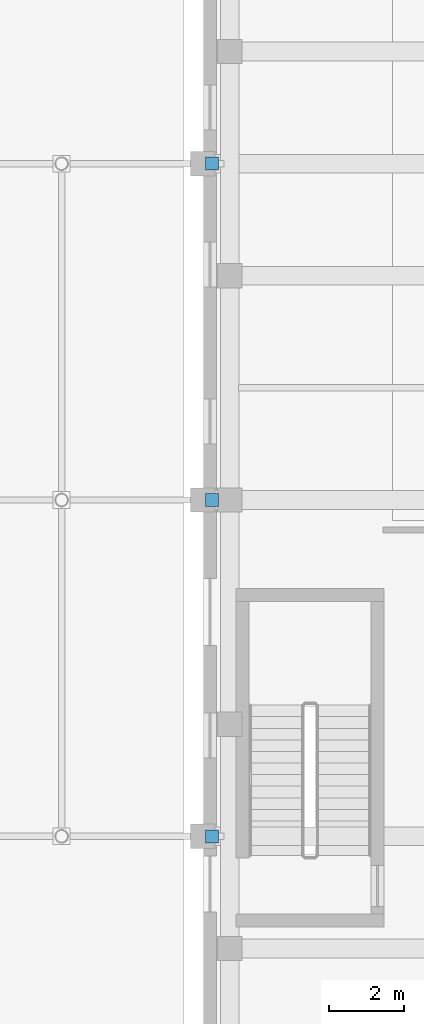
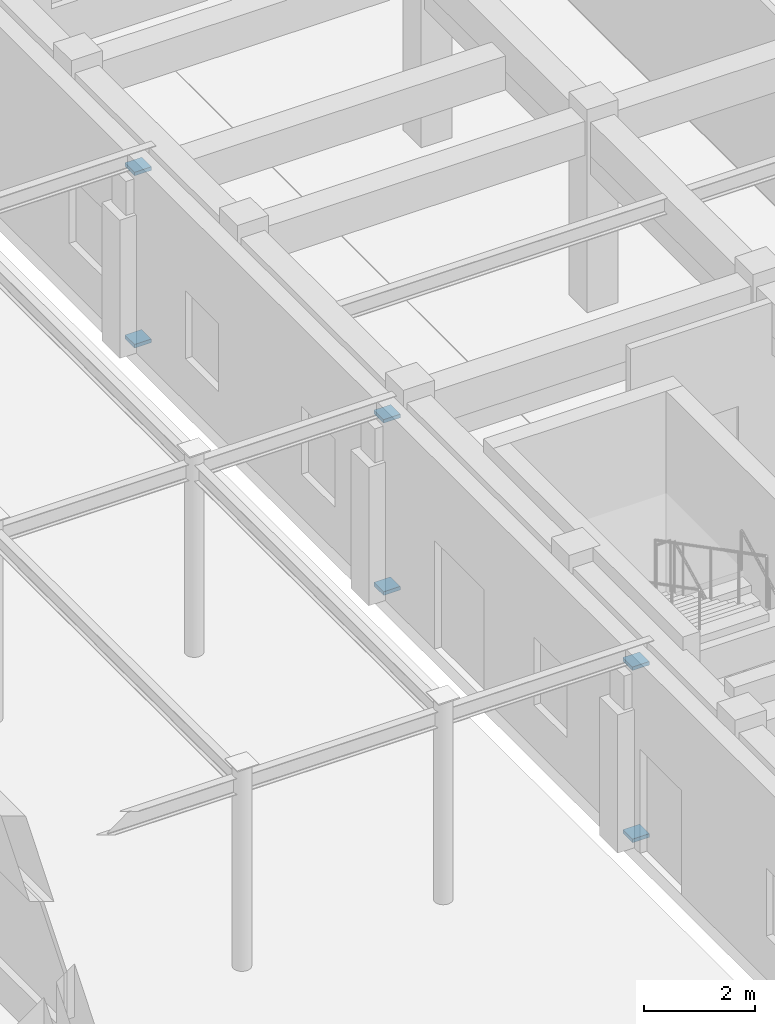
# One storey, part 30 of 39: 6 discrete accessories.
"""IFC4 building model written with IfcOpenShell, lengths in metres."""

from ifc_helpers import new_model, si_unit, direction, frame, origin, origin_2d, place, context, subcontext, project, spatial, rectangle, extrude, source, transform, mapped, material, type_object, element, save


model = new_model("IFC4")

# Units and contexts
model_context = context("Model", 3, precision=1e-05, world=origin(), true_north=direction((0.0, 1.0)))
body_context = subcontext(model_context, "Body", "Model", "MODEL_VIEW")
ifc_project = project(units=[si_unit("LENGTHUNIT", "METRE"), si_unit("AREAUNIT", "SQUARE_METRE"), si_unit("VOLUMEUNIT", "CUBIC_METRE"), si_unit("PLANEANGLEUNIT", "RADIAN"), si_unit("MASSUNIT", "GRAM", prefix="KILO")], contexts=[model_context])

# Site, building, storey
site_placement = place(None, origin())
site = spatial("IfcSite", under=ifc_project, at=site_placement, CompositionType="ELEMENT")
building_placement = place(site_placement, origin())
building = spatial("IfcBuilding", under=site, at=building_placement, Name="Khoralis Quay Care Tower", CompositionType="ELEMENT")
storey_placement = place(building_placement, origin())
storey = spatial("IfcBuildingStorey", under=building, at=storey_placement, Name="L00", CompositionType="ELEMENT", Elevation=0.0)

# Discrete accessories
ifc_material = material(Name="Brushed stainless steel", Category="steel")
discrete_accessory_type = type_object("IfcDiscreteAccessoryType", Name="ACC-JOINT-BEARING", PredefinedType="USERDEFINED", material=ifc_material)
shared_shape = source(origin(), body_context, "Body", "SweptSolid", [
    extrude(rectangle(XDim=0.35009765625, YDim=0.35009765625, at=origin_2d()), origin(), (0.0, 0.0, 1.0), 0.080078125),
])
for number, where, z_axis, x_axis, name in (
    (1, (68.22509765625, 15.0, 0.0), (0.0, 0.0, 1.0), (1.0, 0.0, 0.0), "Movement Joint Unguided PTFE Bearing 1.1"),
    (2, (68.22509765625, 15.0, 3.800048828125), (0.0, 0.0, 1.0), (1.0, 0.0, 0.0), "Movement Joint Unguided PTFE Bearing 1.2"),
    (3, (68.22509765625, 24.0, 0.0), (0.0, 0.0, 1.0), (1.0, 0.0, 0.0), "Movement Joint Unguided PTFE Bearing 2.1"),
    (4, (68.22509765625, 24.0, 3.800048828125), (0.0, 0.0, 1.0), (1.0, 0.0, 0.0), "Movement Joint Unguided PTFE Bearing 2.2"),
    (5, (68.22509765625, 33.0, 0.0), (0.0, 0.0, 1.0), (1.0, 0.0, 0.0), "Movement Joint Unguided PTFE Bearing 3.1"),
    (6, (68.22509765625, 33.0, 3.800048828125), (0.0, 0.0, 1.0), (1.0, 0.0, 0.0), "Movement Joint Unguided PTFE Bearing 3.2"),
):
    element("IfcDiscreteAccessory", number, at=place(storey_placement, frame(where, z_axis=z_axis, x_axis=x_axis)), inside=storey, type_object=discrete_accessory_type, Name=name, ObjectType="BEARING", PredefinedType="USERDEFINED", context=body_context, shape_type="MappedRepresentation", body=[
        mapped(shared_shape, transform((0.0, 0.0, 0.0), scale=1.0)),
    ])

save(model, "model.ifc")
